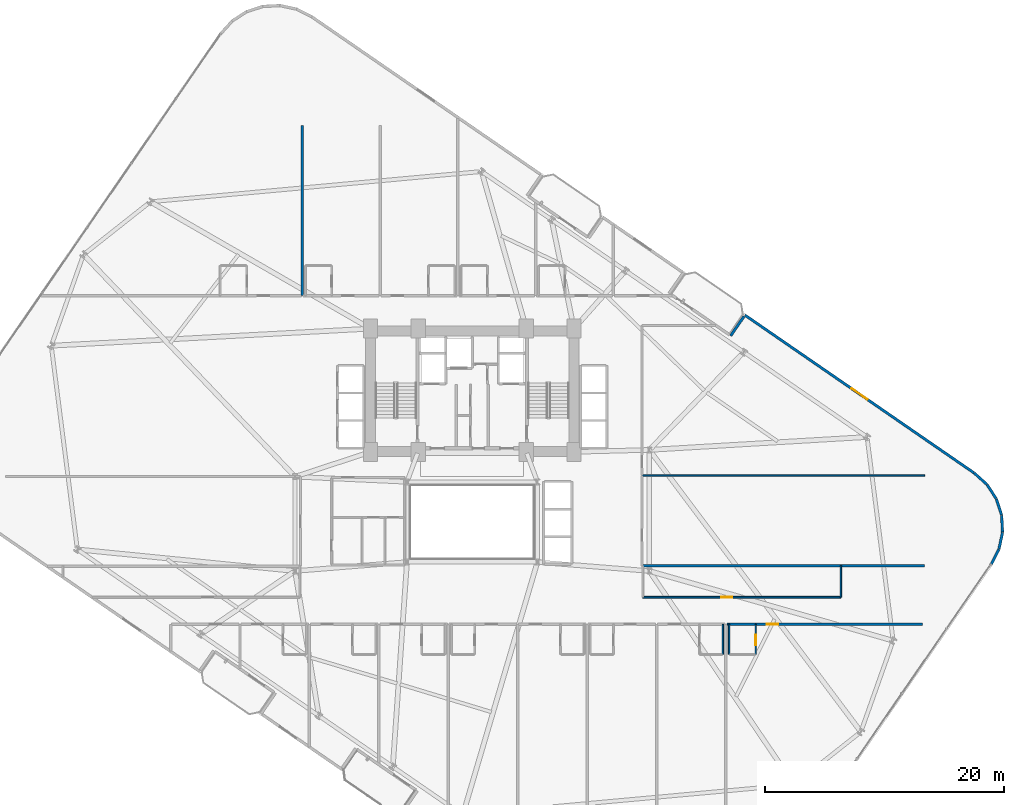
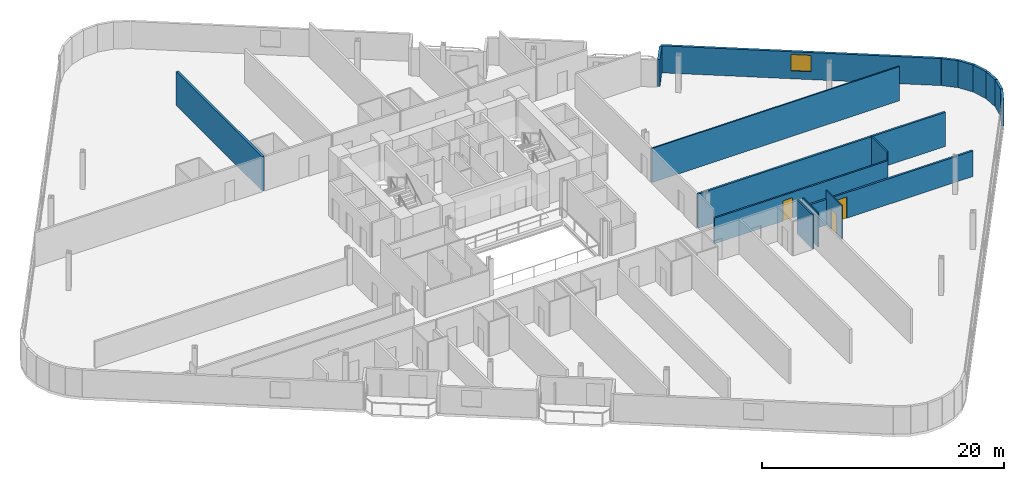
# One storey, part 21 of 25: 17 walls, 3 doors, 1 window, 4 openings.
"""IFC4 building model written with IfcOpenShell, lengths in metres."""

from ifc_helpers import new_model, si_unit, direction, frame, frame_2d, origin, place, context, subcontext, project, spatial, rectangle, extrude, material, layer, layer_set, type_object, element, fill, save


model = new_model("IFC4")

# Units and contexts
model_context = context("Model", 3, precision=1e-05, world=origin(), true_north=direction((0.0, 1.0)))
body_context = subcontext(model_context, "Body", "Model", "MODEL_VIEW")
ifc_project = project(units=[si_unit("LENGTHUNIT", "METRE"), si_unit("AREAUNIT", "SQUARE_METRE"), si_unit("VOLUMEUNIT", "CUBIC_METRE"), si_unit("PLANEANGLEUNIT", "RADIAN"), si_unit("MASSUNIT", "GRAM", prefix="KILO")], contexts=[model_context])

# Site, building, storey
site_placement = place(None, origin())
site = spatial("IfcSite", under=ifc_project, at=site_placement, CompositionType="ELEMENT")
building_placement = place(site_placement, origin())
building = spatial("IfcBuilding", under=site, at=building_placement, Name="Varnelok Gate Tower", CompositionType="ELEMENT")
storey_placement = place(building_placement, frame((0.0, 0.0, 64.0)))
storey = spatial("IfcBuildingStorey", under=building, at=storey_placement, Name="L15", CompositionType="ELEMENT", Elevation=64.0)

# Walls
ifc_material_1 = material(Name="Concrete C45/55", Category="concrete")
ifc_layer_1 = layer(ifc_material_1, 0.219970703125)
ifc_layer_set_1 = layer_set([ifc_layer_1], Name="Concrete C45/55")
wall_type_1 = type_object("IfcWallType", Name="EW-BALC-220", PredefinedType="SOLIDWALL", material=ifc_layer_set_1)
wall_1_placement = place(storey_placement, frame((82.55810546875, 19.355224609375, 0.0), z_axis=(0.0, 0.0, 1.0), x_axis=(0.454777156549, 0.890605264908, 0.0)))
element("IfcWall", 1, at=wall_1_placement, inside=storey, type_object=wall_type_1, Name="L15 Perimeter Facade Closure Wall 20", PredefinedType="SOLIDWALL", context=body_context, shape_type="SweptSolid", body=[
    extrude(rectangle(XDim=1.43017578125, YDim=0.219970703125, at=frame_2d((0.715087890625, 0.0))), origin(), (0.0, 0.0, 1.0), 2.72998046875),
])
wall_2_placement = place(storey_placement, frame((83.2138671875, 20.653564453125, 0.0), z_axis=(0.0, 0.0, 1.0), x_axis=(0.208829011645, 0.977952168511, 0.0)))
element("IfcWall", 2, at=wall_2_placement, inside=storey, type_object=wall_type_1, Name="L15 Perimeter Facade Closure Wall 21", PredefinedType="SOLIDWALL", context=body_context, shape_type="SweptSolid", body=[
    extrude(rectangle(XDim=1.4052734375, YDim=0.219970703125, at=frame_2d((0.70263671875, 0.0))), origin(), (0.0, 0.0, 1.0), 2.72998046875),
])
wall_3_placement = place(storey_placement, frame((83.506103515625, 22.052734375, 0.0), z_axis=(0.0, 0.0, 1.0), x_axis=(-0.051245849735, 0.998686068234, 0.0)))
element("IfcWall", 3, at=wall_3_placement, inside=storey, type_object=wall_type_1, Name="L15 Perimeter Facade Closure Wall 22", PredefinedType="SOLIDWALL", context=body_context, shape_type="SweptSolid", body=[
    extrude(rectangle(XDim=1.405517578125, YDim=0.219970703125, at=frame_2d((0.70263671875, 0.0))), origin(), (0.0, 0.0, 1.0), 2.72998046875),
])
for number, where, z_axis, x_axis, name in (
    (4, (83.426513671875, 23.47998046875, 0.0), (0.0, 0.0, 1.0), (-0.308033059501, 0.951375653596, 0.0), "L15 Perimeter Facade Closure Wall 23"),
    (5, (82.97998046875, 24.837890625, 0.0), (0.0, 0.0, 1.0), (-0.543748195851, 0.839248413468, 0.0), "L15 Perimeter Facade Closure Wall 24"),
):
    element("IfcWall", number, at=place(storey_placement, frame(where, z_axis=z_axis, x_axis=x_axis)), inside=storey, type_object=wall_type_1, Name=name, PredefinedType="SOLIDWALL", context=body_context, shape_type="SweptSolid", body=[
        extrude(rectangle(XDim=1.4052734375, YDim=0.219970703125, at=frame_2d((0.70263671875, 0.0))), origin(), (0.0, 0.0, 1.0), 2.72998046875),
    ])
wall_4_placement = place(storey_placement, frame((82.197265625, 26.033935546875, 0.0), z_axis=(0.0, 0.0, 1.0), x_axis=(-0.742374254638, 0.669985422268, 0.0)))
element("IfcWall", 6, at=wall_4_placement, inside=storey, type_object=wall_type_1, Name="L15 Perimeter Facade Closure Wall 25", PredefinedType="SOLIDWALL", context=body_context, shape_type="SweptSolid", body=[
    extrude(rectangle(XDim=1.4130859375, YDim=0.219970703125, at=frame_2d((0.70654296875, 0.0))), origin(), (0.0, 0.0, 1.0), 2.72998046875),
])

# Wall, opening, window
wall_5_placement = place(storey_placement, frame((81.12744140625, 26.994873046875, 0.0), z_axis=(0.0, 0.0, 1.0), x_axis=(-0.823530169317, 0.567272474411, 0.0)))
wall_5 = element("IfcWall", 7, at=wall_5_placement, inside=storey, type_object=wall_type_1, Name="L15 Perimeter Facade Closure Wall 26", PredefinedType="SOLIDWALL", context=body_context, shape_type="SweptSolid", body=[
    extrude(rectangle(XDim=23.247314453125, YDim=0.219970703125, at=frame_2d((11.62353515625, 0.0))), origin(), (0.0, 0.0, 1.0), 2.72998046875),
])
opening_1_placement = place(wall_5_placement, frame((10.798583984375, 0.0, 0.800048828125)))
opening_1 = element("IfcOpeningElement", 8, at=opening_1_placement, cuts=wall_5, Name="Opening WN3", PredefinedType="OPENING", context=body_context, shape_type="SweptSolid", body=[
    extrude(rectangle(XDim=1.64990234375, YDim=1.64990234375, at=frame_2d((0.824951171875, 0.824951171875))), frame((0.0, 0.119873046875, 0.0), z_axis=(0.0, -1.0, 0.0), x_axis=(1.0, 0.0, 0.0)), (0.0, 0.0, 1.0), 0.239990234375),
])
ifc_material_2 = material(Name="Low-E Laminated Double Glazing IGU", Category="glass")
window_type = type_object("IfcWindowType", Name="WN-HTL-1650", PartitioningType="SINGLE_PANEL", PredefinedType="WINDOW", material=ifc_material_2)
window_placement = place(opening_1_placement, origin())
window = element("IfcWindow", 9, at=window_placement, inside=storey, type_object=window_type, Name="L15 Perimeter Vision Window 26", OverallHeight=1.64990234375, OverallWidth=1.64990234375, PartitioningType="SINGLE_PANEL", PredefinedType="WINDOW", context=body_context, shape_type="SweptSolid", body=[
    extrude(rectangle(XDim=1.64990234375, YDim=1.64990234375, at=frame_2d((0.824951171875, 0.824951171875))), frame((0.0, 0.030029296875, 0.0), z_axis=(0.0, -1.0, 0.0), x_axis=(1.0, 0.0, 0.0)), (0.0, 0.0, 1.0), 0.06005859375),
])
fill(opening_1, window)

# Wall
wall_6_placement = place(storey_placement, frame((61.91162109375, 40.079345703125, 0.0), z_axis=(0.0, 0.0, 1.0), x_axis=(-0.567189720735, -0.82358716642, 0.0)))
element("IfcWall", 10, at=wall_6_placement, inside=storey, type_object=wall_type_1, Name="L15 Perimeter Facade Closure Wall 27", PredefinedType="SOLIDWALL", context=body_context, shape_type="SweptSolid", body=[
    extrude(rectangle(XDim=1.974853515625, YDim=0.219970703125, at=frame_2d((0.9873046875, 0.0))), origin(), (0.0, 0.0, 1.0), 2.72998046875),
])

# Wall, opening, door
ifc_material_3 = material(Name="Gypsum Plasterboard Acoustic Partition", Category="gypsum")
ifc_layer_2 = layer(ifc_material_3, 0.179931640625)
ifc_layer_set_2 = layer_set([ifc_layer_2], Name="Gypsum Plasterboard Acoustic Partition")
wall_type_2 = type_object("IfcWallType", Name="PW-CORR-180", PredefinedType="PARTITIONING", material=ifc_layer_set_2)
wall_7_placement = place(storey_placement, frame((60.47998046875, 14.35009765625, 0.0), z_axis=(0.0, 0.0, 1.0), x_axis=(1.0, 0.0, 0.0)))
wall_7 = element("IfcWall", 11, at=wall_7_placement, inside=storey, type_object=wall_type_2, Name="Interior Partition", PredefinedType="PARTITIONING", context=body_context, shape_type="SweptSolid", body=[
    extrude(rectangle(XDim=16.340087890625, YDim=0.179931640625, at=frame_2d((8.169921875, 0.0))), origin(), (0.0, 0.0, 1.0), 2.580078125),
])
opening_2_placement = place(wall_7_placement, frame((3.330078125, 0.0, 0.0)))
opening_2 = element("IfcOpeningElement", 12, at=opening_2_placement, cuts=wall_7, Name="Opening D-HT", PredefinedType="OPENING", context=body_context, shape_type="SweptSolid", body=[
    extrude(rectangle(XDim=0.949951171875, YDim=2.14990234375, at=frame_2d((0.47509765625, 1.074951171875))), frame((0.0, 0.099853515625, 0.0), z_axis=(0.0, -1.0, 0.0), x_axis=(1.0, 0.0, 0.0)), (0.0, 0.0, 1.0), 0.199951171875),
])
ifc_material_4 = material(Name="Engineered Hardwood Timber", Category="wood")
door_type_1 = type_object("IfcDoorType", Name="DR-HTL-950", OperationType="NOTDEFINED", PredefinedType="DOOR", material=ifc_material_4)
door_1_placement = place(opening_2_placement, origin())
door_1 = element("IfcDoor", 13, at=door_1_placement, inside=storey, type_object=door_type_1, Name="L15 Guest Room 10 Entrance Door", OperationType="SINGLE_SWING_LEFT", OverallHeight=2.14990234375, OverallWidth=0.949951171875, PredefinedType="DOOR", context=body_context, shape_type="SweptSolid", body=[
    extrude(rectangle(XDim=0.949951171875, YDim=2.14990234375, at=frame_2d((0.47509765625, 1.074951171875))), frame((0.0, 0.02490234375, 0.0), z_axis=(0.0, -1.0, 0.0), x_axis=(1.0, 0.0, 0.0)), (0.0, 0.0, 1.0), 0.050048828125),
])
fill(opening_2, door_1)

# Walls
wall_8_placement = place(storey_placement, frame((53.389892578125, 19.239990234375, 0.0), z_axis=(0.0, 0.0, 1.0), x_axis=(1.0, 0.0, 0.0)))
element("IfcWall", 14, at=wall_8_placement, inside=storey, type_object=wall_type_2, Name="Interior Partition", PredefinedType="PARTITIONING", context=body_context, shape_type="SweptSolid", body=[
    extrude(rectangle(XDim=23.610107421875, YDim=0.179931640625, at=frame_2d((11.80517578125, 0.0))), origin(), (0.0, 0.0, 1.0), 3.449951171875),
])
ifc_layer_3 = layer(ifc_material_3, 0.114990234375)
ifc_layer_set_3 = layer_set([ifc_layer_3], Name="Gypsum Plasterboard Acoustic Partition")
wall_type_3 = type_object("IfcWallType", Name="PW-ENS-125", PredefinedType="PARTITIONING", material=ifc_layer_set_3)
wall_9_placement = place(storey_placement, frame((60.139892578125, 11.830078125, 0.0), z_axis=(0.0, 0.0, 1.0), x_axis=(0.0, 1.0, 0.0)))
element("IfcWall", 15, at=wall_9_placement, inside=storey, type_object=wall_type_3, Name="Interior Partition", PredefinedType="PARTITIONING", context=body_context, shape_type="SweptSolid", body=[
    extrude(rectangle(XDim=2.52001953125, YDim=0.114990234375, at=frame_2d((1.260009765625, 0.0))), origin(), (0.0, 0.0, 1.0), 3.449951171875),
])

# Wall, opening, door
wall_10_placement = place(storey_placement, frame((62.889892578125, 11.830078125, 0.0), z_axis=(0.0, 0.0, 1.0), x_axis=(0.0, 1.0, 0.0)))
wall_10 = element("IfcWall", 16, at=wall_10_placement, inside=storey, type_object=wall_type_3, Name="Interior Partition", PredefinedType="PARTITIONING", context=body_context, shape_type="SweptSolid", body=[
    extrude(rectangle(XDim=2.52001953125, YDim=0.114990234375, at=frame_2d((1.260009765625, 0.0))), origin(), (0.0, 0.0, 1.0), 3.449951171875),
])
opening_3_placement = place(wall_10_placement, frame((0.760009765625, 0.0, 0.0)))
opening_3 = element("IfcOpeningElement", 17, at=opening_3_placement, cuts=wall_10, Name="Opening D-WC", PredefinedType="OPENING", context=body_context, shape_type="SweptSolid", body=[
    extrude(rectangle(XDim=0.89990234375, YDim=2.050048828125, at=frame_2d((0.449951171875, 1.02490234375))), frame((0.0, 0.0673828125, 0.0), z_axis=(0.0, -1.0, 0.0), x_axis=(1.0, 0.0, 0.0)), (0.0, 0.0, 1.0), 0.135009765625),
])
door_type_2 = type_object("IfcDoorType", Name="DR-BATH-900", OperationType="NOTDEFINED", PredefinedType="DOOR", material=ifc_material_4)
door_2_placement = place(opening_3_placement, origin())
door_2 = element("IfcDoor", 18, at=door_2_placement, inside=storey, type_object=door_type_2, Name="L15 Guest En-Suite 10 Door", OperationType="SINGLE_SWING_LEFT", OverallHeight=2.050048828125, OverallWidth=0.89990234375, PredefinedType="DOOR", context=body_context, shape_type="SweptSolid", body=[
    extrude(rectangle(XDim=0.89990234375, YDim=2.050048828125, at=frame_2d((0.449951171875, 1.02490234375))), frame((0.0, 0.02490234375, 0.0), z_axis=(0.0, -1.0, 0.0), x_axis=(1.0, 0.0, 0.0)), (0.0, 0.0, 1.0), 0.050048828125),
])
fill(opening_3, door_2)

# Walls
wall_11_placement = place(storey_placement, frame((60.659912109375, 11.830078125, 0.0), z_axis=(0.0, 0.0, 1.0), x_axis=(0.0, 1.0, 0.0)))
element("IfcWall", 19, at=wall_11_placement, inside=storey, type_object=wall_type_3, Name="Interior Partition", PredefinedType="PARTITIONING", context=body_context, shape_type="SweptSolid", body=[
    extrude(rectangle(XDim=2.52001953125, YDim=0.114990234375, at=frame_2d((1.260009765625, 0.0))), origin(), (0.0, 0.0, 1.0), 3.449951171875),
])
ifc_layer_4 = layer(ifc_material_3, 0.125)
ifc_layer_set_4 = layer_set([ifc_layer_4], Name="Gypsum Plasterboard Acoustic Partition")
wall_type_4 = type_object("IfcWallType", Name="PW-PART-125", PredefinedType="PARTITIONING", material=ifc_layer_set_4)
wall_12_placement = place(storey_placement, frame((70.0, 16.610107421875, 0.0), z_axis=(0.0, 0.0, 1.0), x_axis=(0.0, 1.0, 0.0)))
element("IfcWall", 20, at=wall_12_placement, inside=storey, type_object=wall_type_4, Name="Interior Partition", PredefinedType="PARTITIONING", context=body_context, shape_type="SweptSolid", body=[
    extrude(rectangle(XDim=2.6298828125, YDim=0.125, at=frame_2d((1.31494140625, 0.0))), origin(), (0.0, 0.0, 1.0), 3.449951171875),
])
wall_13_placement = place(storey_placement, frame((53.389892578125, 26.800048828125, 0.0), z_axis=(0.0, 0.0, 1.0), x_axis=(1.0, 0.0, 0.0)))
element("IfcWall", 21, at=wall_13_placement, inside=storey, type_object=wall_type_4, Name="Interior Partition", PredefinedType="PARTITIONING", context=body_context, shape_type="SweptSolid", body=[
    extrude(rectangle(XDim=23.610107421875, YDim=0.125, at=frame_2d((11.80517578125, 0.0))), origin(), (0.0, 0.0, 1.0), 3.449951171875),
])

# Wall, opening, door
ifc_layer_5 = layer(ifc_material_3, 0.14990234375)
ifc_layer_set_5 = layer_set([ifc_layer_5], Name="Gypsum Plasterboard Acoustic Partition")
wall_type_5 = type_object("IfcWallType", Name="PW-PART-150", PredefinedType="PARTITIONING", material=ifc_layer_set_5)
wall_14_placement = place(storey_placement, frame((53.449951171875, 16.610107421875, 0.0), z_axis=(0.0, 0.0, 1.0), x_axis=(1.0, 0.0, 0.0)))
wall_14 = element("IfcWall", 22, at=wall_14_placement, inside=storey, type_object=wall_type_5, Name="Interior Partition", PredefinedType="PARTITIONING", context=body_context, shape_type="SweptSolid", body=[
    extrude(rectangle(XDim=16.550048828125, YDim=0.14990234375, at=frame_2d((8.27490234375, 0.0))), origin(), (0.0, 0.0, 1.0), 2.580078125),
])
opening_4_placement = place(wall_14_placement, frame((6.547607421875, 0.0, 0.0)))
opening_4 = element("IfcOpeningElement", 23, at=opening_4_placement, cuts=wall_14, Name="Opening D-I3", PredefinedType="OPENING", context=body_context, shape_type="SweptSolid", body=[
    extrude(rectangle(XDim=0.919921875, YDim=2.050048828125, at=frame_2d((0.4599609375, 1.02490234375))), frame((0.0, 0.0849609375, 0.0), z_axis=(0.0, -1.0, 0.0), x_axis=(1.0, 0.0, 0.0)), (0.0, 0.0, 1.0), 0.169921875),
])
door_type_3 = type_object("IfcDoorType", Name="DR-INT-920", OperationType="NOTDEFINED", PredefinedType="DOOR", material=ifc_material_4)
door_3_placement = place(opening_4_placement, origin())
door_3 = element("IfcDoor", 24, at=door_3_placement, inside=storey, type_object=door_type_3, Name="L15 Atrium Room 2 Door", OperationType="SINGLE_SWING_LEFT", OverallHeight=2.050048828125, OverallWidth=0.919921875, PredefinedType="DOOR", context=body_context, shape_type="SweptSolid", body=[
    extrude(rectangle(XDim=0.919921875, YDim=2.050048828125, at=frame_2d((0.4599609375, 1.02490234375))), frame((0.0, 0.02490234375, 0.0), z_axis=(0.0, -1.0, 0.0), x_axis=(1.0, 0.0, 0.0)), (0.0, 0.0, 1.0), 0.050048828125),
])
fill(opening_4, door_3)

# Wall
ifc_layer_6 = layer(ifc_material_3, 0.205078125)
ifc_layer_set_6 = layer_set([ifc_layer_6], Name="Gypsum Plasterboard Acoustic Partition")
wall_type_6 = type_object("IfcWallType", Name="PW-PARTY-200", PredefinedType="PARTITIONING", material=ifc_layer_set_6)
wall_15_placement = place(storey_placement, frame((25.0, 41.800048828125, 0.0), z_axis=(0.0, 0.0, 1.0), x_axis=(0.0, 1.0, 0.0)))
element("IfcWall", 25, at=wall_15_placement, inside=storey, type_object=wall_type_6, Name="L15 North Party Wall 1", PredefinedType="PARTITIONING", context=body_context, shape_type="SweptSolid", body=[
    extrude(rectangle(XDim=14.199951171875, YDim=0.205078125, at=frame_2d((7.10009765625, 0.0))), origin(), (0.0, 0.0, 1.0), 3.449951171875),
])

save(model, "model.ifc")
